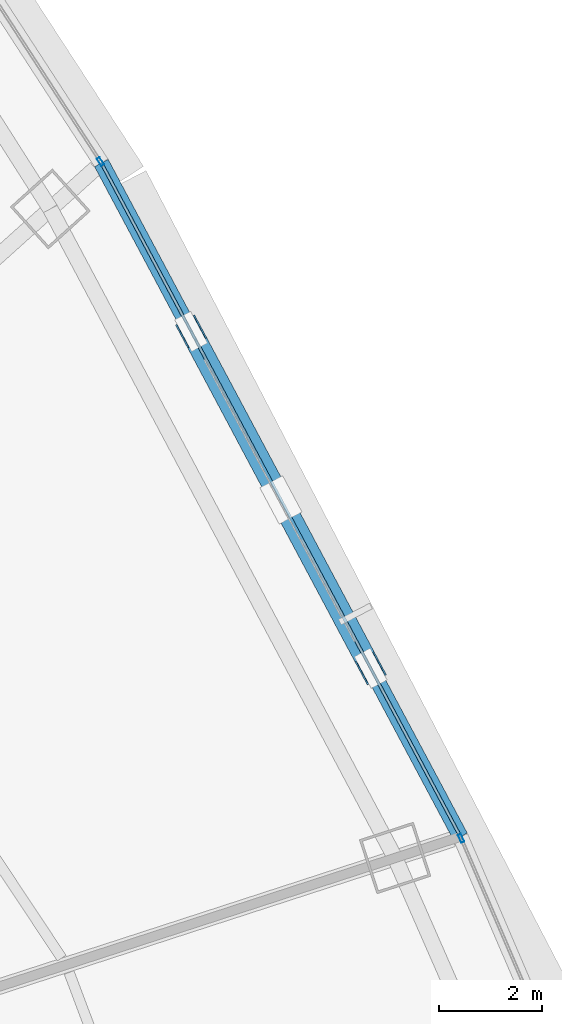
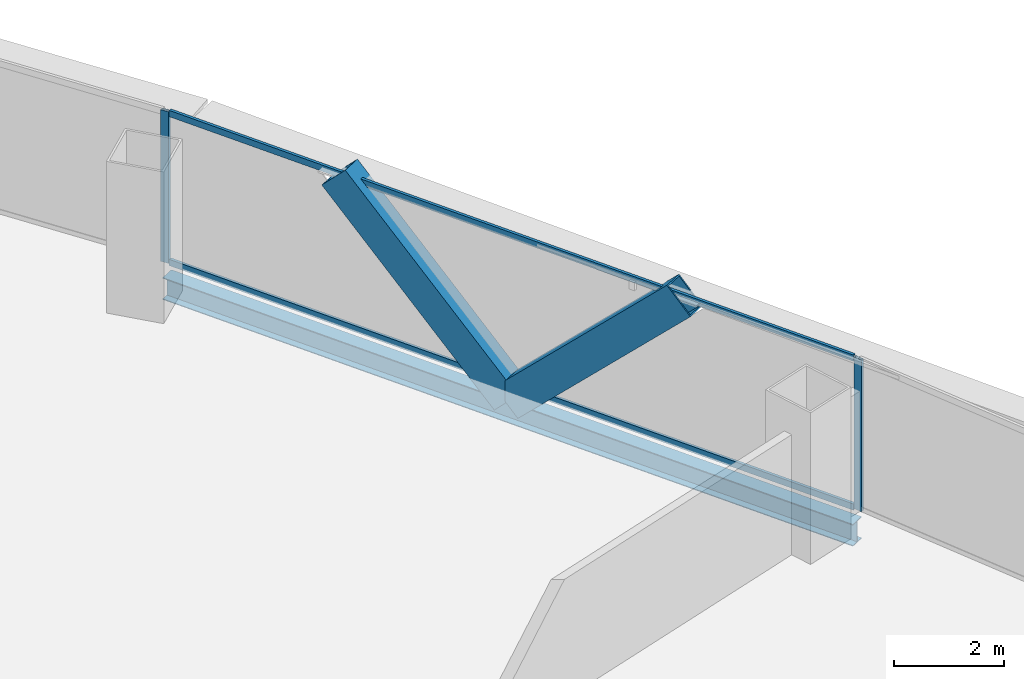
# One storey, part 24 of 37: 6 members, 1 beam, 3 elements without a shape of their own.
"""IFC4 building model written with IfcOpenShell, lengths in metres."""

from ifc_helpers import new_model, si_unit, direction, frame, origin, origin_2d, place, context, subcontext, project, spatial, hollow_rectangle, i_section, extrude, source, transform, mapped, material, layer, layer_set, material_profile, profile_set, type_object, element, aggregate, save


model = new_model("IFC4")

# Units and contexts
model_context = context("Model", 3, precision=1e-05, world=origin(), true_north=direction((0.0, 1.0)))
body_context = subcontext(model_context, "Body", "Model", "MODEL_VIEW")
ifc_project = project(units=[si_unit("LENGTHUNIT", "METRE"), si_unit("AREAUNIT", "SQUARE_METRE"), si_unit("VOLUMEUNIT", "CUBIC_METRE"), si_unit("PLANEANGLEUNIT", "RADIAN"), si_unit("MASSUNIT", "GRAM", prefix="KILO"), si_unit("THERMODYNAMICTEMPERATUREUNIT", "KELVIN"), si_unit("POWERUNIT", "WATT")], contexts=[model_context])

# Site, building, storey
site_placement = place(None, origin())
site = spatial("IfcSite", under=ifc_project, at=site_placement, CompositionType="ELEMENT")
building_placement = place(site_placement, origin())
building = spatial("IfcBuilding", under=site, at=building_placement, Name="Yunzhuo Pagoda Commons", CompositionType="ELEMENT")
storey_placement = place(building_placement, frame((0.0, 0.0, 55.81005859375)))
storey = spatial("IfcBuildingStorey", under=building, at=storey_placement, Name="L14", CompositionType="ELEMENT", Elevation=55.81005859375)

# Beam
ifc_material_1 = material(Name="Structural steel Q355B", Category="steel")
ifc_material_profile_1 = material_profile(ifc_material_1, i_section(OverallWidth=0.300048828125, OverallDepth=0.488037109375, WebThickness=0.010986328125, FlangeThickness=0.01806640625, at=origin_2d()), Name="Structural steel Q355B")
ifc_profile_set_1 = profile_set([ifc_material_profile_1], Name="Structural steel Q355B")
beam_type = type_object("IfcBeamType", Name="B-SP1 Beam HM 488x300x11x18", PredefinedType="BEAM", material=ifc_profile_set_1)
shared_shape_1 = source(origin(), body_context, "Body", "SweptSolid", [
    extrude(i_section(OverallWidth=0.300048828125, OverallDepth=0.488037109375, WebThickness=0.010986328125, FlangeThickness=0.01806640625, at=origin_2d()), origin(), (0.0, 0.0, 1.0), 14.806884765625),
])
beam_placement = place(storey_placement, frame((81.602783203125, 44.618408203125, -0.504150390625), z_axis=(-0.470363145456, 0.882472952218, 0.0), x_axis=(-0.882472952218, -0.470363145456, 0.0)))
element("IfcBeam", 1, at=beam_placement, inside=storey, type_object=beam_type, Name="L14 facade edge spandrel beam F2.2", PredefinedType="BEAM", context=body_context, shape_type="MappedRepresentation", body=[
    mapped(shared_shape_1, transform((0.0, 0.0, 0.0), scale=1.0)),
])

# Members
ifc_material_2 = material(Name="Structural steel Q420B", Category="steel")
ifc_material_profile_2 = material_profile(ifc_material_2, hollow_rectangle(XDim=0.419921875, YDim=0.719970703125, WallThickness=0.028076171875, at=origin_2d()), Name="Structural steel Q420B")
ifc_profile_set_2 = profile_set([ifc_material_profile_2], Name="Structural steel Q420B")
member_type_1 = type_object("IfcMemberType", Name="M-DL1 Brace BOX 720x420x28", PredefinedType="BRACE", material=ifc_profile_set_2)
shared_shape_2 = source(origin(), body_context, "Body", "SweptSolid", [
    extrude(hollow_rectangle(XDim=0.419921875, YDim=0.719970703125, WallThickness=0.028076171875, at=origin_2d()), origin(), (0.0, 0.0, 1.0), 5.1845703125),
])
member_1_placement = place(storey_placement, frame((78.120849609375, 51.151611328125, -0.260009765625), z_axis=(-0.335842441178, 0.63010483811, 0.700126951126), x_axis=(-0.882477051666, -0.470355454187, 0.0)))
element("IfcMember", 2, at=member_1_placement, inside=storey, type_object=member_type_1, Name="L14 facade diamond brace F2.2R", PredefinedType="BRACE", context=body_context, shape_type="MappedRepresentation", body=[
    mapped(shared_shape_2, transform((0.0, 0.0, 0.0), scale=1.0)),
])
shared_shape_3 = source(origin(), body_context, "Body", "SweptSolid", [
    extrude(hollow_rectangle(XDim=0.419921875, YDim=0.719970703125, WallThickness=0.028076171875, at=origin_2d()), origin(), (0.0, 0.0, 1.0), 5.184326171875),
])
member_2_placement = place(storey_placement, frame((78.120849609375, 51.151611328125, -0.260009765625), z_axis=(0.335810625942, -0.630086407952, 0.700158797715), x_axis=(0.88248983647, 0.470331466657, 0.0)))
element("IfcMember", 3, at=member_2_placement, inside=storey, type_object=member_type_1, Name="L14 facade diamond brace F2.2L", PredefinedType="BRACE", context=body_context, shape_type="MappedRepresentation", body=[
    mapped(shared_shape_3, transform((0.0, 0.0, 0.0), scale=1.0)),
])

# Curtain wall, member
ifc_material_3 = material(Name="Anodized aluminium 6063-T6", Category="aluminium")
ifc_layer = layer(ifc_material_3, 0.1650390625)
ifc_layer_set = layer_set([ifc_layer], Name="Anodized aluminium 6063-T6")
curtain_wall_type = type_object("IfcCurtainWallType", Name="CW-LOW Low-Zone Ribbon Curtain Wall", PredefinedType="NOTDEFINED", material=ifc_layer_set)
curtain_wall_1_placement = place(storey_placement, origin())
curtain_wall_1 = element("IfcCurtainWall", 4, at=curtain_wall_1_placement, inside=storey, type_object=curtain_wall_type, Name="L14 curtain wall CW-L14-F2B2", PredefinedType="NOTDEFINED")
ifc_material_profile_3 = material_profile(ifc_material_3, hollow_rectangle(XDim=0.06494140625, YDim=0.1650390625, WallThickness=0.00390625, at=origin_2d()), Name="Anodized aluminium 6063-T6")
ifc_profile_set_3 = profile_set([ifc_material_profile_3], Name="Anodized aluminium 6063-T6")
member_type_2 = type_object("IfcMemberType", Name="CW-LOW-M Mullion RHS 165x65x4", PredefinedType="MULLION", material=ifc_profile_set_3)
shared_shape_4 = source(origin(), body_context, "Body", "SweptSolid", [
    extrude(hollow_rectangle(XDim=0.06494140625, YDim=0.1650390625, WallThickness=0.00390625, at=origin_2d()), origin(), (0.0, 0.0, 1.0), 3.369873046875),
])
member_3_placement = place(storey_placement, frame((81.61572265625, 44.58837890625, 0.0), z_axis=(0.0, 0.0, 1.0), x_axis=(-0.918993139703, -0.394273520769, 0.0)))
member_3 = element("IfcMember", 5, at=member_3_placement, type_object=member_type_2, Name="CW mullion 2", PredefinedType="MULLION", context=body_context, shape_type="MappedRepresentation", body=[
    mapped(shared_shape_4, transform((0.0, 0.0, 0.0), scale=1.0)),
])
aggregate(curtain_wall_1, [member_3])

curtain_wall_2_placement = place(storey_placement, origin())
curtain_wall_2 = element("IfcCurtainWall", 6, at=curtain_wall_2_placement, inside=storey, type_object=curtain_wall_type, Name="L14 curtain wall CW-L14-F2B4", PredefinedType="NOTDEFINED")
member_4_placement = place(storey_placement, frame((74.620361328125, 57.71240234375, 0.0), z_axis=(0.0, 0.0, 1.0), x_axis=(-0.838776712394, -0.544475552018, 0.0)))
member_4 = element("IfcMember", 7, at=member_4_placement, type_object=member_type_2, Name="CW mullion 1", PredefinedType="MULLION", context=body_context, shape_type="MappedRepresentation", body=[
    mapped(shared_shape_4, transform((0.0, 0.0, 0.0), scale=1.0)),
])
aggregate(curtain_wall_2, [member_4])

# Curtain wall, members
curtain_wall_3_placement = place(storey_placement, origin())
curtain_wall_3 = element("IfcCurtainWall", 8, at=curtain_wall_3_placement, inside=storey, type_object=curtain_wall_type, Name="L14 curtain wall CW-L14-F2B3", PredefinedType="NOTDEFINED")
ifc_material_profile_4 = material_profile(ifc_material_3, hollow_rectangle(XDim=0.06005859375, YDim=0.139892578125, WallThickness=0.00341796875, at=origin_2d()), Name="Anodized aluminium 6063-T6")
ifc_profile_set_4 = profile_set([ifc_material_profile_4], Name="Anodized aluminium 6063-T6")
member_type_3 = type_object("IfcMemberType", Name="CW-LOW-T Transom RHS 140x60x3.5", PredefinedType="USERDEFINED", material=ifc_profile_set_4)
shared_shape_5 = source(origin(), body_context, "Body", "SweptSolid", [
    extrude(hollow_rectangle(XDim=0.06005859375, YDim=0.139892578125, WallThickness=0.00341796875, at=origin_2d()), origin(), (0.0, 0.0, 1.0), 14.677001953125),
])
member_5_placement = place(storey_placement, frame((81.572265625, 44.67578125, 0.030029296875), z_axis=(-0.470362882364, 0.882473092448, 0.0), x_axis=(-0.882473092448, -0.470362882364, 0.0)))
member_5 = element("IfcMember", 9, at=member_5_placement, type_object=member_type_3, Name="CW transom 1.1", ObjectType="TRANSOM", PredefinedType="USERDEFINED", context=body_context, shape_type="MappedRepresentation", body=[
    mapped(shared_shape_5, transform((0.0, 0.0, 0.0), scale=1.0)),
])
member_6_placement = place(storey_placement, frame((81.572265625, 44.67578125, 3.33984375), z_axis=(-0.470362882364, 0.882473092448, 0.0), x_axis=(-0.882473092448, -0.470362882364, 0.0)))
member_6 = element("IfcMember", 10, at=member_6_placement, type_object=member_type_3, Name="CW transom 1.2", ObjectType="TRANSOM", PredefinedType="USERDEFINED", context=body_context, shape_type="MappedRepresentation", body=[
    mapped(shared_shape_5, transform((0.0, 0.0, 0.0), scale=1.0)),
])
aggregate(curtain_wall_3, [member_5, member_6])

save(model, "model.ifc")
